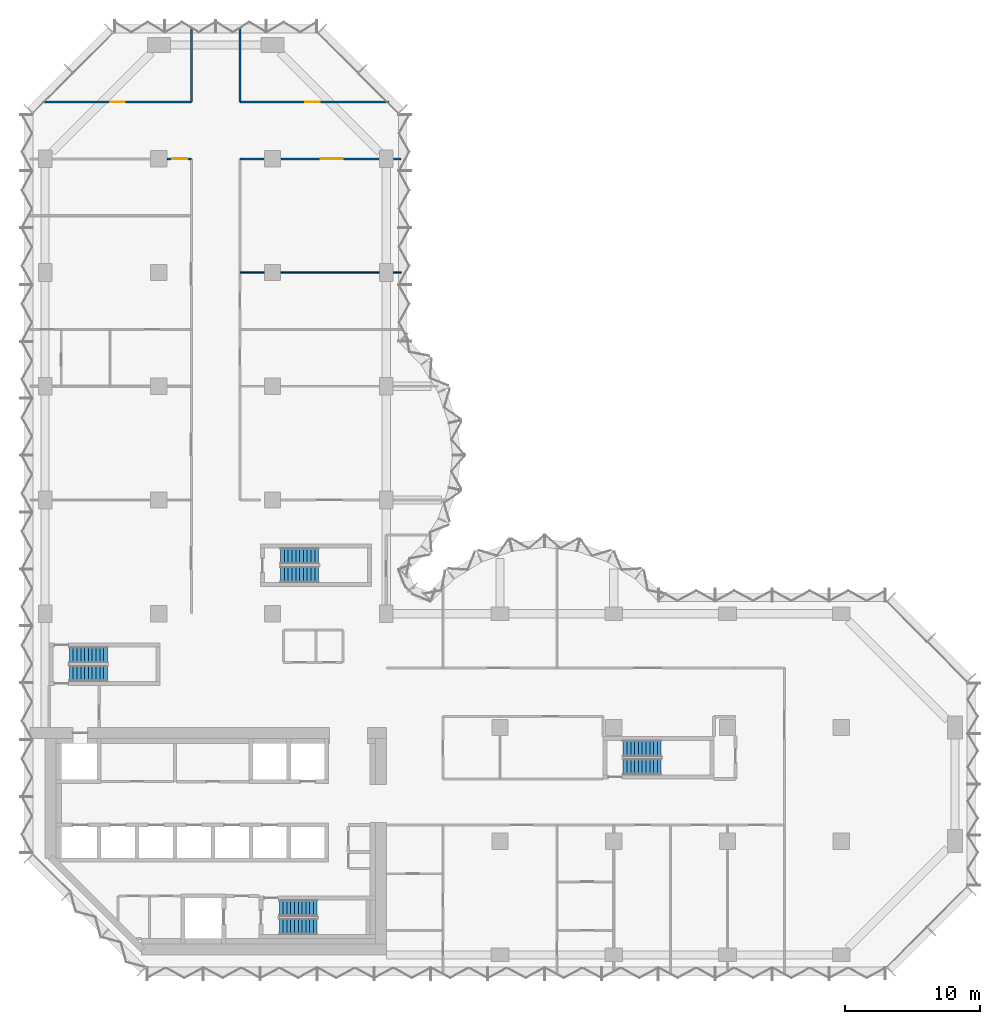
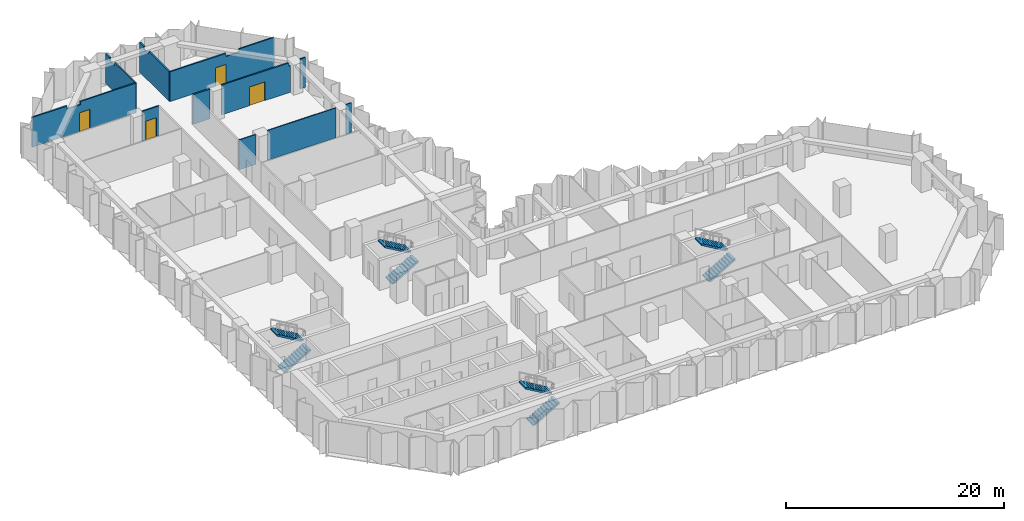
# One storey, part 11 of 13: 11 walls, 8 stair flights, 4 doors, 4 openings, 4 elements without a shape of their own.
"""IFC4 building model written with IfcOpenShell, lengths in metres."""

import ifcopenshell
import ifcopenshell.guid

model = None  # the IFC model being written
_history = None  # IfcOwnerHistory: only IFC2X3 demands one
_inside = {}  # id of a spatial element -> (the spatial element, [elements in it])
_under = {}  # id of a project, library or spatial element -> (it, [spatial elements below it])
_declared = {}  # id of a project -> (the project, [libraries it declares])
_typed = {}  # id of a type object -> (the type object, [elements of that type])
_made_of = {}  # id of a material, layer set ... -> (it, [elements and type objects made of it])


def new_model(schema):
    """Start an empty IFC model of exactly this schema.

    Asked for "IFC4X3", IfcOpenShell would pick the latest addendum, in which some entities
    have other attributes; the version numbers below select the first issue.
    IFC2X3 requires an IfcOwnerHistory on every rooted entity: one is made here for all.
    """
    global model, _history
    if schema == "IFC4X3":
        model = ifcopenshell.file(schema_version=(4, 3, 0, 0))
    else:
        model = ifcopenshell.file(schema=schema)
    _inside.clear()
    _under.clear()
    _declared.clear()
    _typed.clear()
    _made_of.clear()
    _history = None
    if model.schema == "IFC2X3":
        org = make("IfcOrganization", Name="unknown")
        user = make(
            "IfcPersonAndOrganization",
            ThePerson=make("IfcPerson", FamilyName="unknown"),
            TheOrganization=org,
        )
        app = make(
            "IfcApplication",
            ApplicationDeveloper=org,
            Version="unknown",
            ApplicationFullName="unknown",
            ApplicationIdentifier="unknown",
        )
        _history = make(
            "IfcOwnerHistory",
            OwningUser=user,
            OwningApplication=app,
            ChangeAction="ADDED",
            CreationDate=0,
        )
    return model


def make(cls, **values):
    """One entity of the class cls with the attributes given. An attribute that is None is left unset."""
    return model.create_entity(
        cls, **{name: value for name, value in values.items() if value is not None}
    )


def rooted(cls, **values):
    """An entity with a GlobalId (a new one), such as an element, a storey or a relation."""
    return make(cls, GlobalId=ifcopenshell.guid.new(), OwnerHistory=_history, **values)


def si_unit(unit_type, name, prefix=None):
    """IfcSIUnit, for example si_unit("LENGTHUNIT", "METRE", prefix="MILLI")."""
    return make("IfcSIUnit", UnitType=unit_type, Prefix=prefix, Name=name)


def assignment(units):
    """IfcUnitAssignment: the units of a project."""
    return None if units is None else make("IfcUnitAssignment", Units=units)


def point(xyz):
    """IfcCartesianPoint."""
    return None if xyz is None else make("IfcCartesianPoint", Coordinates=xyz)


def direction(xyz):
    """IfcDirection."""
    return None if xyz is None else make("IfcDirection", DirectionRatios=xyz)


def frame(location, z_axis=None, x_axis=None):
    """IfcAxis2Placement3D, a coordinate frame: its origin and axes. An axis left out is left unset."""
    return make(
        "IfcAxis2Placement3D",
        Location=point(location),
        Axis=direction(z_axis),
        RefDirection=direction(x_axis),
    )


def frame_2d(location, x_axis=None):
    """IfcAxis2Placement2D, a coordinate frame in the plane: its origin and x axis."""
    return make(
        "IfcAxis2Placement2D", Location=point(location), RefDirection=direction(x_axis)
    )


def origin():
    """The frame at (0, 0, 0) with its axes left unset."""
    return frame((0.0, 0.0, 0.0))


def place(relative_to, where):
    """IfcLocalPlacement: puts the frame where relative to a parent placement (None: the world)."""
    return make(
        "IfcLocalPlacement", PlacementRelTo=relative_to, RelativePlacement=where
    )


def context(
    kind, dimensions, precision=None, world=None, true_north=None, identifier=None
):
    """IfcGeometricRepresentationContext, for example the 3D "Model" context."""
    return make(
        "IfcGeometricRepresentationContext",
        ContextIdentifier=identifier,
        ContextType=kind,
        CoordinateSpaceDimension=dimensions,
        Precision=precision,
        WorldCoordinateSystem=world,
        TrueNorth=true_north,
    )


def subcontext(parent, identifier, kind, view, scale=None):
    """IfcGeometricRepresentationSubContext, for example "Body" below "Model"."""
    return make(
        "IfcGeometricRepresentationSubContext",
        ContextIdentifier=identifier,
        ContextType=kind,
        ParentContext=parent,
        TargetScale=scale,
        TargetView=view,
    )


def project(units=None, contexts=None):
    """IfcProject with its units and contexts."""
    return rooted(
        "IfcProject",
        Name="project",
        RepresentationContexts=contexts,
        UnitsInContext=assignment(units),
    )


def spatial(cls, under=None, at=None, **own):
    """A site, building, storey or space (cls), placed at a placement, below another one or the project."""
    s = rooted(cls, ObjectPlacement=at, **own)
    if under is not None:
        _under.setdefault(under.id(), (under, []))[1].append(s)
    return s


def polyline(points):
    """IfcPolyline through the points."""
    return make("IfcPolyline", Points=[point(p) for p in points])


def profile(cls, at=None, kind="AREA", **sizes):
    """A parametric profile (cls). Its sizes go by their IFC names, for example OverallWidth=200.0."""
    return make(cls, ProfileType=kind, Position=at, **sizes)


def rectangle(**sizes):
    """IfcRectangleProfileDef."""
    return profile("IfcRectangleProfileDef", **sizes)


def outline(outer, holes=None, kind="AREA"):
    """IfcArbitraryClosedProfileDef: a profile drawn as a closed curve; with holes, ...WithVoids."""
    if holes is None:
        return make("IfcArbitraryClosedProfileDef", ProfileType=kind, OuterCurve=outer)
    return make(
        "IfcArbitraryProfileDefWithVoids",
        ProfileType=kind,
        OuterCurve=outer,
        InnerCurves=holes,
    )


def extrude(swept, where, along, depth):
    """IfcExtrudedAreaSolid: the profile swept, set in the frame where, extruded along a direction by depth."""
    return make(
        "IfcExtrudedAreaSolid",
        SweptArea=swept,
        Position=where,
        ExtrudedDirection=direction(along),
        Depth=depth,
    )


def shape(context_of_items, identifier, shape_type, items):
    """IfcShapeRepresentation: the items that make up one representation, for example the "Body"."""
    return make(
        "IfcShapeRepresentation",
        ContextOfItems=context_of_items,
        RepresentationIdentifier=identifier,
        RepresentationType=shape_type,
        Items=items,
    )


def material(Name=None, Category=None):
    """IfcMaterial."""
    return make("IfcMaterial", Name=Name, Category=Category)


def layer(
    of_material, thickness, ventilated=None, Name=None, Category=None, Priority=None
):
    """IfcMaterialLayer: one layer of a wall or slab, of a material (None: an air gap)."""
    return make(
        "IfcMaterialLayer",
        Material=of_material,
        LayerThickness=thickness,
        IsVentilated=ventilated,
        Name=Name,
        Category=Category,
        Priority=Priority,
    )


def layer_set(layers, Name=None):
    """IfcMaterialLayerSet."""
    return make("IfcMaterialLayerSet", MaterialLayers=layers, LayerSetName=Name)


def made_of(thing, what):
    """Note that an element or type object is made of a material, layer set ...; save() writes the relation."""
    if what is not None:
        _made_of.setdefault(what.id(), (what, []))[1].append(thing)
    return thing


def type_object(cls, material=None, **own):
    """A type object (cls), such as IfcWallType, which elements share."""
    return made_of(rooted(cls, **own), material)


def element(
    cls,
    number,
    at=None,
    inside=None,
    cuts=None,
    type_object=None,
    material=None,
    context=None,
    identifier="Body",
    shape_type=None,
    held_by="IfcProductDefinitionShape",
    body=None,
    shapes=None,
    **own,
):
    """One element of the class cls, such as IfcWall. Its Tag is "e" and its number.

    at: its placement. inside: the storey or other place that contains it. cuts: it is an
    opening in that element (IfcRelVoidsElement). A single representation is given by context,
    identifier, shape_type and body (its items); several are given by shapes. held_by: the class
    of the entity that holds the representations. save() writes the other relations.
    """
    e = rooted(cls, Tag="e%d" % number, ObjectPlacement=at, **own)
    if body is not None:
        shapes = [shape(context, identifier, shape_type, body)]
    if shapes is not None:
        e.Representation = make(held_by, Representations=shapes)
    if inside is not None:
        _inside.setdefault(inside.id(), (inside, []))[1].append(e)
    if cuts is not None:
        rooted(
            "IfcRelVoidsElement", RelatingBuildingElement=cuts, RelatedOpeningElement=e
        )
    if type_object is not None:
        _typed.setdefault(type_object.id(), (type_object, []))[1].append(e)
    return made_of(e, material)


def fill(opening, filler):
    """IfcRelFillsElement: the door or window that sits in an opening."""
    return rooted(
        "IfcRelFillsElement",
        RelatingOpeningElement=opening,
        RelatedBuildingElement=filler,
    )


def aggregate(whole, parts):
    """IfcRelAggregates: a whole, such as a stair, and the parts it consists of."""
    return rooted("IfcRelAggregates", RelatingObject=whole, RelatedObjects=parts)


def save(model, path):
    """Write the relations noted so far, then the file.

    IfcRelAggregates (storeys below a building ...), IfcRelContainedInSpatialStructure (elements
    in a storey), IfcRelDefinesByType, IfcRelAssociatesMaterial and IfcRelDeclares: one each for
    every whole, place, type object, material and project.
    """
    for whole, parts in _under.values():
        aggregate(whole, parts)
    for where, things in _inside.values():
        rooted(
            "IfcRelContainedInSpatialStructure",
            RelatedElements=things,
            RelatingStructure=where,
        )
    for kind, things in _typed.values():
        rooted("IfcRelDefinesByType", RelatedObjects=things, RelatingType=kind)
    for what, things in _made_of.values():
        rooted("IfcRelAssociatesMaterial", RelatedObjects=things, RelatingMaterial=what)
    for by, libraries in _declared.values():
        rooted("IfcRelDeclares", RelatingContext=by, RelatedDefinitions=libraries)
    model.write(path)


model = new_model("IFC4")

# Units and contexts
model_context = context("Model", 3, precision=1e-05, world=origin(), true_north=direction((0.0, 1.0)))
body_context = subcontext(model_context, "Body", "Model", "MODEL_VIEW")
ifc_project = project(units=[si_unit("LENGTHUNIT", "METRE"), si_unit("AREAUNIT", "SQUARE_METRE"), si_unit("VOLUMEUNIT", "CUBIC_METRE"), si_unit("PLANEANGLEUNIT", "RADIAN"), si_unit("MASSUNIT", "GRAM", prefix="KILO")], contexts=[model_context])

# Site, building, storey
site_placement = place(None, origin())
site = spatial("IfcSite", under=ifc_project, at=site_placement, CompositionType="ELEMENT")
building_placement = place(site_placement, origin())
building = spatial("IfcBuilding", under=site, at=building_placement, Name="Brevane Broadcast Tower", CompositionType="ELEMENT")
storey_placement = place(building_placement, frame((0.0, 0.0, 102.5)))
storey = spatial("IfcBuildingStorey", under=building, at=storey_placement, Name="L24", CompositionType="ELEMENT", Elevation=102.5)

# Walls
ifc_material_1 = material(Name="Gypsum board partition")
ifc_layer_1 = layer(ifc_material_1, 0.10009765625)
ifc_layer_set_1 = layer_set([ifc_layer_1], Name="PARTITION 100 STUD")
wall_type_1 = type_object("IfcWallType", Name="PARTITION 100 STUD", PredefinedType="PARTITIONING", material=ifc_layer_set_1)
wall_1_placement = place(storey_placement, frame((14.39990234375, 50.39990234375, 0.0), z_axis=(0.0, 0.0, 1.0), x_axis=(1.0, 0.0, 0.0)))
element("IfcWall", 1, at=wall_1_placement, inside=storey, type_object=wall_type_1, Name="Partition G07-088", PredefinedType="PARTITIONING", context=body_context, shape_type="SweptSolid", body=[
    extrude(rectangle(XDim=1.780029296875, YDim=0.10009765625, at=frame_2d((0.89013671875, 0.0))), origin(), (0.0, 0.0, 1.0), 3.330078125),
])
wall_2_placement = place(storey_placement, frame((17.419921875, 50.39990234375, 0.0), z_axis=(0.0, 0.0, 1.0), x_axis=(1.0, 0.0, 0.0)))
element("IfcWall", 2, at=wall_2_placement, inside=storey, type_object=wall_type_1, Name="Partition G07-089", PredefinedType="PARTITIONING", context=body_context, shape_type="SweptSolid", body=[
    extrude(rectangle(XDim=7.260009765625, YDim=0.10009765625, at=frame_2d((3.6298828125, 0.0))), origin(), (0.0, 0.0, 1.0), 3.330078125),
])
wall_3_placement = place(storey_placement, frame((25.719970703125, 50.39990234375, 0.0), z_axis=(0.0, 0.0, 1.0), x_axis=(1.0, 0.0, 0.0)))
element("IfcWall", 3, at=wall_3_placement, inside=storey, type_object=wall_type_1, Name="Partition G07-090", PredefinedType="PARTITIONING", context=body_context, shape_type="SweptSolid", body=[
    extrude(rectangle(XDim=0.580078125, YDim=0.10009765625, at=frame_2d((0.2900390625, 0.0))), origin(), (0.0, 0.0, 1.0), 3.330078125),
])
ifc_layer_2 = layer(ifc_material_1, 0.14990234375)
ifc_layer_set_2 = layer_set([ifc_layer_2], Name="PARTITION 150 EI 60")
wall_type_2 = type_object("IfcWallType", Name="PARTITION 150 EI 60", PredefinedType="PARTITIONING", material=ifc_layer_set_2)
wall_4_placement = place(storey_placement, frame((10.800048828125, 63.0, 0.0), z_axis=(0.0, 0.0, 1.0), x_axis=(0.0, 1.0, 0.0)))
element("IfcWall", 4, at=wall_4_placement, inside=storey, type_object=wall_type_2, Name="Partition G07-056", PredefinedType="PARTITIONING", context=body_context, shape_type="SweptSolid", body=[
    extrude(outline(polyline([(0.0, 0.0), (5.42333984375, 0.0), (5.42333984375, 3.330078125), (5.280029296875, 3.330078125), (4.64990234375, 3.330078125), (4.64794921875, 2.97998046875), (3.751953125, 2.97998046875), (3.75, 3.330078125), (0.0, 3.330078125), (0.0, 0.0)])), frame((0.0, 0.074951171875, 0.0), z_axis=(0.0, -1.0, 0.0), x_axis=(1.0, 0.0, 0.0)), (0.0, 0.0, 1.0), 0.14990234375),
])
wall_5_placement = place(storey_placement, frame((14.39990234375, 68.42333984375, 0.0), z_axis=(0.0, 0.0, 1.0), x_axis=(0.0, -1.0, 0.0)))
element("IfcWall", 5, at=wall_5_placement, inside=storey, type_object=wall_type_2, Name="Partition G07-061", PredefinedType="PARTITIONING", context=body_context, shape_type="SweptSolid", body=[
    extrude(outline(polyline([(0.0, 0.0), (5.42333984375, 0.0), (5.42333984375, 3.330078125), (1.67333984375, 3.330078125), (1.67138671875, 2.97998046875), (0.775390625, 2.97998046875), (0.773193359375, 3.330078125), (0.143310546875, 3.330078125), (0.0, 3.330078125), (0.0, 0.0)])), frame((0.0, 0.074951171875, 0.0), z_axis=(0.0, -1.0, 0.0), x_axis=(1.0, 0.0, 0.0)), (0.0, 0.0, 1.0), 0.14990234375),
])

# Wall, opening, door
wall_6_placement = place(storey_placement, frame((10.800048828125, 58.800048828125, 0.0), z_axis=(0.0, 0.0, 1.0), x_axis=(-1.0, 0.0, 0.0)))
wall_6 = element("IfcWall", 6, at=wall_6_placement, inside=storey, type_object=wall_type_2, Name="Partition G07-062", PredefinedType="PARTITIONING", context=body_context, shape_type="SweptSolid", body=[
    extrude(rectangle(XDim=1.780029296875, YDim=0.14990234375, at=frame_2d((0.89013671875, 0.0))), origin(), (0.0, 0.0, 1.0), 3.330078125),
])
opening_1_placement = place(wall_6_placement, frame((0.300048828125, 0.0, 0.0)))
opening_1 = element("IfcOpeningElement", 7, at=opening_1_placement, cuts=wall_6, Name="Opening D14-024", PredefinedType="OPENING", context=body_context, shape_type="SweptSolid", body=[
    extrude(rectangle(XDim=1.10009765625, YDim=2.10009765625, at=frame_2d((0.550048828125, 1.050048828125))), frame((0.0, 0.0849609375, 0.0), z_axis=(0.0, -1.0, 0.0), x_axis=(1.0, 0.0, 0.0)), (0.0, 0.0, 1.0), 0.169921875),
])
ifc_material_2 = material(Name="Fire-rated timber door leaf", Category="wood")
door_type_1 = type_object("IfcDoorType", Name="DOOR SINGLE 1100 FD30S", OperationType="SINGLE_SWING_LEFT", PredefinedType="DOOR", material=ifc_material_2)
door_1_placement = place(opening_1_placement, origin())
door_1 = element("IfcDoor", 8, at=door_1_placement, inside=storey, type_object=door_type_1, Name="Door D14-024", OperationType="SINGLE_SWING_LEFT", OverallHeight=2.10009765625, OverallWidth=1.10009765625, PredefinedType="DOOR", context=body_context, shape_type="SweptSolid", body=[
    extrude(rectangle(XDim=1.10009765625, YDim=2.10009765625, at=frame_2d((0.550048828125, 1.050048828125))), frame((0.0, 0.02490234375, 0.0), z_axis=(0.0, -1.0, 0.0), x_axis=(1.0, 0.0, 0.0)), (0.0, 0.0, 1.0), 0.050048828125),
])
fill(opening_1, door_1)

wall_7_placement = place(storey_placement, frame((-0.199951171875, 63.0, 0.0), z_axis=(0.0, 0.0, 1.0), x_axis=(1.0, 0.0, 0.0)))
wall_7 = element("IfcWall", 9, at=wall_7_placement, inside=storey, type_object=wall_type_2, Name="Partition G07-065", PredefinedType="PARTITIONING", context=body_context, shape_type="SweptSolid", body=[
    extrude(outline(polyline([(0.0, 0.0), (11.0, 0.0), (11.0, 3.330078125), (5.090576171875, 3.330078125), (5.088623046875, 2.97998046875), (3.71142578125, 2.97998046875), (3.709228515625, 3.330078125), (0.0, 3.330078125), (0.0, 0.0)])), frame((0.0, 0.074951171875, 0.0), z_axis=(0.0, -1.0, 0.0), x_axis=(1.0, 0.0, 0.0)), (0.0, 0.0, 1.0), 0.14990234375),
])
opening_2_placement = place(wall_7_placement, frame((5.0, 0.0, 0.0)))
opening_2 = element("IfcOpeningElement", 10, at=opening_2_placement, cuts=wall_7, Name="Opening D14-025", PredefinedType="OPENING", context=body_context, shape_type="SweptSolid", body=[
    extrude(rectangle(XDim=1.10009765625, YDim=2.10009765625, at=frame_2d((0.550048828125, 1.050048828125))), frame((0.0, 0.0849609375, 0.0), z_axis=(0.0, -1.0, 0.0), x_axis=(1.0, 0.0, 0.0)), (0.0, 0.0, 1.0), 0.169921875),
])
door_2_placement = place(opening_2_placement, origin())
door_2 = element("IfcDoor", 11, at=door_2_placement, inside=storey, type_object=door_type_1, Name="Door D14-025", OperationType="SINGLE_SWING_LEFT", OverallHeight=2.10009765625, OverallWidth=1.10009765625, PredefinedType="DOOR", context=body_context, shape_type="SweptSolid", body=[
    extrude(rectangle(XDim=1.10009765625, YDim=2.10009765625, at=frame_2d((0.550048828125, 1.050048828125))), frame((0.0, 0.02490234375, 0.0), z_axis=(0.0, -1.0, 0.0), x_axis=(1.0, 0.0, 0.0)), (0.0, 0.0, 1.0), 0.050048828125),
])
fill(opening_2, door_2)

# Wall
wall_8_placement = place(storey_placement, frame((26.300048828125, 58.800048828125, 0.0), z_axis=(0.0, 0.0, 1.0), x_axis=(-1.0, 0.0, 0.0)))
element("IfcWall", 12, at=wall_8_placement, inside=storey, type_object=wall_type_2, Name="Partition G07-080", PredefinedType="PARTITIONING", context=body_context, shape_type="SweptSolid", body=[
    extrude(rectangle(XDim=0.580078125, YDim=0.14990234375, at=frame_2d((0.2900390625, 0.0))), origin(), (0.0, 0.0, 1.0), 3.330078125),
])

# Wall, opening, door
wall_9_placement = place(storey_placement, frame((24.679931640625, 58.800048828125, 0.0), z_axis=(0.0, 0.0, 1.0), x_axis=(-1.0, 0.0, 0.0)))
wall_9 = element("IfcWall", 13, at=wall_9_placement, inside=storey, type_object=wall_type_2, Name="Partition G07-081", PredefinedType="PARTITIONING", context=body_context, shape_type="SweptSolid", body=[
    extrude(outline(polyline([(0.0, 0.0), (7.260009765625, 0.0), (7.260009765625, 3.330078125), (0.170654296875, 3.330078125), (0.168701171875, 2.97998046875), (0.0, 2.97998046875), (0.0, 0.0)])), frame((0.0, 0.074951171875, 0.0), z_axis=(0.0, -1.0, 0.0), x_axis=(1.0, 0.0, 0.0)), (0.0, 0.0, 1.0), 0.14990234375),
])
opening_3_placement = place(wall_9_placement, frame((2.699951171875, 0.0, 0.0)))
opening_3 = element("IfcOpeningElement", 14, at=opening_3_placement, cuts=wall_9, Name="Opening D14-029", PredefinedType="OPENING", context=body_context, shape_type="SweptSolid", body=[
    extrude(rectangle(XDim=1.60009765625, YDim=2.10009765625, at=frame_2d((0.800048828125, 1.050048828125))), frame((0.0, 0.0849609375, 0.0), z_axis=(0.0, -1.0, 0.0), x_axis=(1.0, 0.0, 0.0)), (0.0, 0.0, 1.0), 0.169921875),
])
door_type_2 = type_object("IfcDoorType", Name="DOOR DOUBLE 1600 FD30S", OperationType="DOUBLE_DOOR_SINGLE_SWING", PredefinedType="DOOR", material=ifc_material_2)
door_3_placement = place(opening_3_placement, origin())
door_3 = element("IfcDoor", 15, at=door_3_placement, inside=storey, type_object=door_type_2, Name="Door D14-029", OperationType="DOUBLE_DOOR_SINGLE_SWING", OverallHeight=2.10009765625, OverallWidth=1.60009765625, PredefinedType="DOOR", context=body_context, shape_type="SweptSolid", body=[
    extrude(rectangle(XDim=1.60009765625, YDim=2.10009765625, at=frame_2d((0.800048828125, 1.050048828125))), frame((0.0, 0.02490234375, 0.0), z_axis=(0.0, -1.0, 0.0), x_axis=(1.0, 0.0, 0.0)), (0.0, 0.0, 1.0), 0.050048828125),
])
fill(opening_3, door_3)

# Wall
wall_10_placement = place(storey_placement, frame((16.179931640625, 58.800048828125, 0.0), z_axis=(0.0, 0.0, 1.0), x_axis=(-1.0, 0.0, 0.0)))
element("IfcWall", 16, at=wall_10_placement, inside=storey, type_object=wall_type_2, Name="Partition G07-082", PredefinedType="PARTITIONING", context=body_context, shape_type="SweptSolid", body=[
    extrude(rectangle(XDim=1.780029296875, YDim=0.14990234375, at=frame_2d((0.89013671875, 0.0))), origin(), (0.0, 0.0, 1.0), 3.330078125),
])

# Wall, opening, door
wall_11_placement = place(storey_placement, frame((14.39990234375, 63.0, 0.0), z_axis=(0.0, 0.0, 1.0), x_axis=(1.0, 0.0, 0.0)))
wall_11 = element("IfcWall", 17, at=wall_11_placement, inside=storey, type_object=wall_type_2, Name="Partition G07-083", PredefinedType="PARTITIONING", context=body_context, shape_type="SweptSolid", body=[
    extrude(outline(polyline([(0.0, 0.0), (11.0, 0.0), (11.0, 3.330078125), (7.290771484375, 3.330078125), (7.28857421875, 2.97998046875), (5.911376953125, 2.97998046875), (5.909423828125, 3.330078125), (0.0, 3.330078125), (0.0, 0.0)])), frame((0.0, 0.074951171875, 0.0), z_axis=(0.0, -1.0, 0.0), x_axis=(1.0, 0.0, 0.0)), (0.0, 0.0, 1.0), 0.14990234375),
])
opening_4_placement = place(wall_11_placement, frame((4.800048828125, 0.0, 0.0)))
opening_4 = element("IfcOpeningElement", 18, at=opening_4_placement, cuts=wall_11, Name="Opening D14-030", PredefinedType="OPENING", context=body_context, shape_type="SweptSolid", body=[
    extrude(rectangle(XDim=1.10009765625, YDim=2.10009765625, at=frame_2d((0.550048828125, 1.050048828125))), frame((0.0, 0.0849609375, 0.0), z_axis=(0.0, -1.0, 0.0), x_axis=(1.0, 0.0, 0.0)), (0.0, 0.0, 1.0), 0.169921875),
])
door_4_placement = place(opening_4_placement, origin())
door_4 = element("IfcDoor", 19, at=door_4_placement, inside=storey, type_object=door_type_1, Name="Door D14-030", OperationType="SINGLE_SWING_LEFT", OverallHeight=2.10009765625, OverallWidth=1.10009765625, PredefinedType="DOOR", context=body_context, shape_type="SweptSolid", body=[
    extrude(rectangle(XDim=1.10009765625, YDim=2.10009765625, at=frame_2d((0.550048828125, 1.050048828125))), frame((0.0, 0.02490234375, 0.0), z_axis=(0.0, -1.0, 0.0), x_axis=(1.0, 0.0, 0.0)), (0.0, 0.0, 1.0), 0.050048828125),
])
fill(opening_4, door_4)

# Stair, stair flights
ifc_material_3 = material(Name="Concrete C50/60", Category="concrete")
stair_type = type_object("IfcStairType", Name="Exit stair 22 risers", PredefinedType="HALF_TURN_STAIR", material=ifc_material_3)
stair_1_placement = place(storey_placement, origin())
stair_1 = element("IfcStair", 20, at=stair_1_placement, inside=storey, type_object=stair_type, Name="L24 Exit stair ST-1", PredefinedType="HALF_TURN_STAIR")
stair_flight_type = type_object("IfcStairFlightType", Name="Exit stair flight 22 risers", PredefinedType="STRAIGHT", material=ifc_material_3)
stair_flight_1_placement = place(storey_placement, frame((1.800048828125, 20.800048828125, 0.0), z_axis=(0.0, 0.0, 1.0), x_axis=(1.0, 0.0, 0.0)))
stair_flight_1 = element("IfcStairFlight", 21, at=stair_flight_1_placement, type_object=stair_flight_type, Name="ST-1 flight 1", NumberOfRisers=11, NumberOfTreads=10, PredefinedType="STRAIGHT", RiserHeight=0.163636364, TreadLength=0.28, context=body_context, shape_type="SweptSolid", body=[
    extrude(outline(polyline([(0.0, 0.0), (0.0, 0.16357421875), (0.280029296875, 0.16357421875), (0.280029296875, 0.327392578125), (0.56005859375, 0.327392578125), (0.56005859375, 0.490966796875), (0.840087890625, 0.490966796875), (0.840087890625, 0.654541015625), (1.1201171875, 0.654541015625), (1.1201171875, 0.818115234375), (1.39990234375, 0.818115234375), (1.39990234375, 0.98193359375), (1.679931640625, 0.98193359375), (1.679931640625, 1.1455078125), (1.9599609375, 1.1455078125), (1.9599609375, 1.30908203125), (2.239990234375, 1.30908203125), (2.239990234375, 1.47265625), (2.52001953125, 1.47265625), (2.52001953125, 1.636474609375), (2.800048828125, 1.636474609375), (2.800048828125, 1.800048828125), (2.800048828125, 1.462646484375), (0.297119140625, 0.0), (0.0, 0.0)])), frame((0.0, 0.60009765625, 0.0), z_axis=(0.0, -1.0, 0.0), x_axis=(1.0, 0.0, 0.0)), (0.0, 0.0, 1.0), 1.199951171875),
])
stair_flight_2_placement = place(storey_placement, frame((4.60009765625, 22.14990234375, 1.800048828125), z_axis=(0.0, 0.0, 1.0), x_axis=(-1.0, 0.0, 0.0)))
stair_flight_2 = element("IfcStairFlight", 22, at=stair_flight_2_placement, type_object=stair_flight_type, Name="ST-1 flight 2", NumberOfRisers=11, NumberOfTreads=10, PredefinedType="STRAIGHT", RiserHeight=0.163636364, TreadLength=0.28, context=body_context, shape_type="SweptSolid", body=[
    extrude(outline(polyline([(0.0, 0.0), (0.0, 0.16357421875), (0.280029296875, 0.16357421875), (0.280029296875, 0.327392578125), (0.56005859375, 0.327392578125), (0.56005859375, 0.490966796875), (0.840087890625, 0.490966796875), (0.840087890625, 0.654541015625), (1.1201171875, 0.654541015625), (1.1201171875, 0.818115234375), (1.39990234375, 0.818115234375), (1.39990234375, 0.98193359375), (1.679931640625, 0.98193359375), (1.679931640625, 1.1455078125), (1.9599609375, 1.1455078125), (1.9599609375, 1.30908203125), (2.239990234375, 1.30908203125), (2.239990234375, 1.47265625), (2.52001953125, 1.47265625), (2.52001953125, 1.636474609375), (2.800048828125, 1.636474609375), (2.800048828125, 1.800048828125), (2.800048828125, 1.462646484375), (0.297119140625, 0.0), (0.0, 0.0)])), frame((0.0, 0.60009765625, 0.0), z_axis=(0.0, -1.0, 0.0), x_axis=(1.0, 0.0, 0.0)), (0.0, 0.0, 1.0), 1.199951171875),
])
aggregate(stair_1, [stair_flight_1, stair_flight_2])

stair_2_placement = place(storey_placement, origin())
stair_2 = element("IfcStair", 23, at=stair_2_placement, inside=storey, type_object=stair_type, Name="L24 Exit stair ST-2", PredefinedType="HALF_TURN_STAIR")
stair_flight_3_placement = place(storey_placement, frame((17.300048828125, 2.10009765625, 0.0), z_axis=(0.0, 0.0, 1.0), x_axis=(1.0, 0.0, 0.0)))
stair_flight_3 = element("IfcStairFlight", 24, at=stair_flight_3_placement, type_object=stair_flight_type, Name="ST-2 flight 1", NumberOfRisers=11, NumberOfTreads=10, PredefinedType="STRAIGHT", RiserHeight=0.163636364, TreadLength=0.28, context=body_context, shape_type="SweptSolid", body=[
    extrude(outline(polyline([(0.0, 0.0), (0.0, 0.16357421875), (0.280029296875, 0.16357421875), (0.280029296875, 0.327392578125), (0.56005859375, 0.327392578125), (0.56005859375, 0.490966796875), (0.840087890625, 0.490966796875), (0.840087890625, 0.654541015625), (1.1201171875, 0.654541015625), (1.1201171875, 0.818115234375), (1.39990234375, 0.818115234375), (1.39990234375, 0.98193359375), (1.679931640625, 0.98193359375), (1.679931640625, 1.1455078125), (1.9599609375, 1.1455078125), (1.9599609375, 1.30908203125), (2.239990234375, 1.30908203125), (2.239990234375, 1.47265625), (2.52001953125, 1.47265625), (2.52001953125, 1.636474609375), (2.800048828125, 1.636474609375), (2.800048828125, 1.800048828125), (2.800048828125, 1.462646484375), (0.297119140625, 0.0), (0.0, 0.0)])), frame((0.0, 0.60009765625, 0.0), z_axis=(0.0, -1.0, 0.0), x_axis=(1.0, 0.0, 0.0)), (0.0, 0.0, 1.0), 1.199951171875),
])
stair_flight_4_placement = place(storey_placement, frame((20.10009765625, 3.449951171875, 1.800048828125), z_axis=(0.0, 0.0, 1.0), x_axis=(-1.0, 0.0, 0.0)))
stair_flight_4 = element("IfcStairFlight", 25, at=stair_flight_4_placement, type_object=stair_flight_type, Name="ST-2 flight 2", NumberOfRisers=11, NumberOfTreads=10, PredefinedType="STRAIGHT", RiserHeight=0.163636364, TreadLength=0.28, context=body_context, shape_type="SweptSolid", body=[
    extrude(outline(polyline([(0.0, 0.0), (0.0, 0.16357421875), (0.280029296875, 0.16357421875), (0.280029296875, 0.327392578125), (0.56005859375, 0.327392578125), (0.56005859375, 0.490966796875), (0.840087890625, 0.490966796875), (0.840087890625, 0.654541015625), (1.1201171875, 0.654541015625), (1.1201171875, 0.818115234375), (1.39990234375, 0.818115234375), (1.39990234375, 0.98193359375), (1.679931640625, 0.98193359375), (1.679931640625, 1.1455078125), (1.9599609375, 1.1455078125), (1.9599609375, 1.30908203125), (2.239990234375, 1.30908203125), (2.239990234375, 1.47265625), (2.52001953125, 1.47265625), (2.52001953125, 1.636474609375), (2.800048828125, 1.636474609375), (2.800048828125, 1.800048828125), (2.800048828125, 1.462646484375), (0.297119140625, 0.0), (0.0, 0.0)])), frame((0.0, 0.60009765625, 0.0), z_axis=(0.0, -1.0, 0.0), x_axis=(1.0, 0.0, 0.0)), (0.0, 0.0, 1.0), 1.199951171875),
])
aggregate(stair_2, [stair_flight_3, stair_flight_4])

stair_3_placement = place(storey_placement, origin())
stair_3 = element("IfcStair", 26, at=stair_3_placement, inside=storey, type_object=stair_type, Name="L24 Exit stair ST-3", PredefinedType="HALF_TURN_STAIR")
stair_flight_5_placement = place(storey_placement, frame((17.39990234375, 28.10009765625, 0.0), z_axis=(0.0, 0.0, 1.0), x_axis=(1.0, 0.0, 0.0)))
stair_flight_5 = element("IfcStairFlight", 27, at=stair_flight_5_placement, type_object=stair_flight_type, Name="ST-3 flight 1", NumberOfRisers=11, NumberOfTreads=10, PredefinedType="STRAIGHT", RiserHeight=0.163636364, TreadLength=0.28, context=body_context, shape_type="SweptSolid", body=[
    extrude(outline(polyline([(0.0, 0.0), (0.0, 0.16357421875), (0.280029296875, 0.16357421875), (0.280029296875, 0.327392578125), (0.56005859375, 0.327392578125), (0.56005859375, 0.490966796875), (0.840087890625, 0.490966796875), (0.840087890625, 0.654541015625), (1.1201171875, 0.654541015625), (1.1201171875, 0.818115234375), (1.39990234375, 0.818115234375), (1.39990234375, 0.98193359375), (1.679931640625, 0.98193359375), (1.679931640625, 1.1455078125), (1.9599609375, 1.1455078125), (1.9599609375, 1.30908203125), (2.239990234375, 1.30908203125), (2.239990234375, 1.47265625), (2.52001953125, 1.47265625), (2.52001953125, 1.636474609375), (2.800048828125, 1.636474609375), (2.800048828125, 1.800048828125), (2.800048828125, 1.462646484375), (0.297119140625, 0.0), (0.0, 0.0)])), frame((0.0, 0.60009765625, 0.0), z_axis=(0.0, -1.0, 0.0), x_axis=(1.0, 0.0, 0.0)), (0.0, 0.0, 1.0), 1.199951171875),
])
stair_flight_6_placement = place(storey_placement, frame((20.199951171875, 29.449951171875, 1.800048828125), z_axis=(0.0, 0.0, 1.0), x_axis=(-1.0, 0.0, 0.0)))
stair_flight_6 = element("IfcStairFlight", 28, at=stair_flight_6_placement, type_object=stair_flight_type, Name="ST-3 flight 2", NumberOfRisers=11, NumberOfTreads=10, PredefinedType="STRAIGHT", RiserHeight=0.163636364, TreadLength=0.28, context=body_context, shape_type="SweptSolid", body=[
    extrude(outline(polyline([(0.0, 0.0), (0.0, 0.16357421875), (0.280029296875, 0.16357421875), (0.280029296875, 0.327392578125), (0.56005859375, 0.327392578125), (0.56005859375, 0.490966796875), (0.840087890625, 0.490966796875), (0.840087890625, 0.654541015625), (1.1201171875, 0.654541015625), (1.1201171875, 0.818115234375), (1.39990234375, 0.818115234375), (1.39990234375, 0.98193359375), (1.679931640625, 0.98193359375), (1.679931640625, 1.1455078125), (1.9599609375, 1.1455078125), (1.9599609375, 1.30908203125), (2.239990234375, 1.30908203125), (2.239990234375, 1.47265625), (2.52001953125, 1.47265625), (2.52001953125, 1.636474609375), (2.800048828125, 1.636474609375), (2.800048828125, 1.800048828125), (2.800048828125, 1.462646484375), (0.297119140625, 0.0), (0.0, 0.0)])), frame((0.0, 0.60009765625, 0.0), z_axis=(0.0, -1.0, 0.0), x_axis=(1.0, 0.0, 0.0)), (0.0, 0.0, 1.0), 1.199951171875),
])
aggregate(stair_3, [stair_flight_5, stair_flight_6])

stair_4_placement = place(storey_placement, origin())
stair_4 = element("IfcStair", 29, at=stair_4_placement, inside=storey, type_object=stair_type, Name="L24 Exit stair ST-4", PredefinedType="HALF_TURN_STAIR")
stair_flight_7_placement = place(storey_placement, frame((42.699951171875, 13.89990234375, 0.0), z_axis=(0.0, 0.0, 1.0), x_axis=(1.0, 0.0, 0.0)))
stair_flight_7 = element("IfcStairFlight", 30, at=stair_flight_7_placement, type_object=stair_flight_type, Name="ST-4 flight 1", NumberOfRisers=11, NumberOfTreads=10, PredefinedType="STRAIGHT", RiserHeight=0.163636364, TreadLength=0.28, context=body_context, shape_type="SweptSolid", body=[
    extrude(outline(polyline([(0.0, 0.0), (0.0, 0.16357421875), (0.280029296875, 0.16357421875), (0.280029296875, 0.327392578125), (0.56005859375, 0.327392578125), (0.56005859375, 0.490966796875), (0.840087890625, 0.490966796875), (0.840087890625, 0.654541015625), (1.1201171875, 0.654541015625), (1.1201171875, 0.818115234375), (1.39990234375, 0.818115234375), (1.39990234375, 0.98193359375), (1.679931640625, 0.98193359375), (1.679931640625, 1.1455078125), (1.9599609375, 1.1455078125), (1.9599609375, 1.30908203125), (2.239990234375, 1.30908203125), (2.239990234375, 1.47265625), (2.52001953125, 1.47265625), (2.52001953125, 1.636474609375), (2.800048828125, 1.636474609375), (2.800048828125, 1.800048828125), (2.800048828125, 1.462646484375), (0.297119140625, 0.0), (0.0, 0.0)])), frame((0.0, 0.60009765625, 0.0), z_axis=(0.0, -1.0, 0.0), x_axis=(1.0, 0.0, 0.0)), (0.0, 0.0, 1.0), 1.199951171875),
])
stair_flight_8_placement = place(storey_placement, frame((45.5, 15.25, 1.800048828125), z_axis=(0.0, 0.0, 1.0), x_axis=(-1.0, 0.0, 0.0)))
stair_flight_8 = element("IfcStairFlight", 31, at=stair_flight_8_placement, type_object=stair_flight_type, Name="ST-4 flight 2", NumberOfRisers=11, NumberOfTreads=10, PredefinedType="STRAIGHT", RiserHeight=0.163636364, TreadLength=0.28, context=body_context, shape_type="SweptSolid", body=[
    extrude(outline(polyline([(0.0, 0.0), (0.0, 0.16357421875), (0.280029296875, 0.16357421875), (0.280029296875, 0.327392578125), (0.56005859375, 0.327392578125), (0.56005859375, 0.490966796875), (0.840087890625, 0.490966796875), (0.840087890625, 0.654541015625), (1.1201171875, 0.654541015625), (1.1201171875, 0.818115234375), (1.39990234375, 0.818115234375), (1.39990234375, 0.98193359375), (1.679931640625, 0.98193359375), (1.679931640625, 1.1455078125), (1.9599609375, 1.1455078125), (1.9599609375, 1.30908203125), (2.239990234375, 1.30908203125), (2.239990234375, 1.47265625), (2.52001953125, 1.47265625), (2.52001953125, 1.636474609375), (2.800048828125, 1.636474609375), (2.800048828125, 1.800048828125), (2.800048828125, 1.462646484375), (0.297119140625, 0.0), (0.0, 0.0)])), frame((0.0, 0.60009765625, 0.0), z_axis=(0.0, -1.0, 0.0), x_axis=(1.0, 0.0, 0.0)), (0.0, 0.0, 1.0), 1.199951171875),
])
aggregate(stair_4, [stair_flight_7, stair_flight_8])

save(model, "model.ifc")
